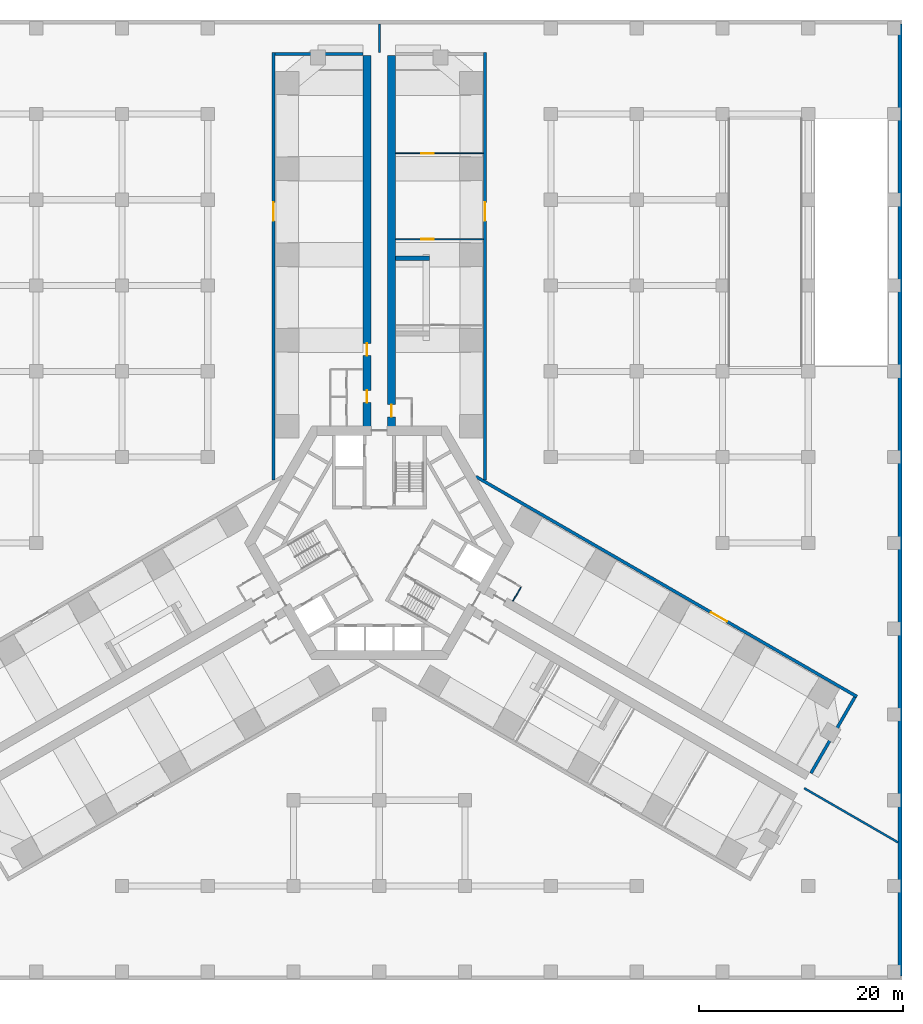
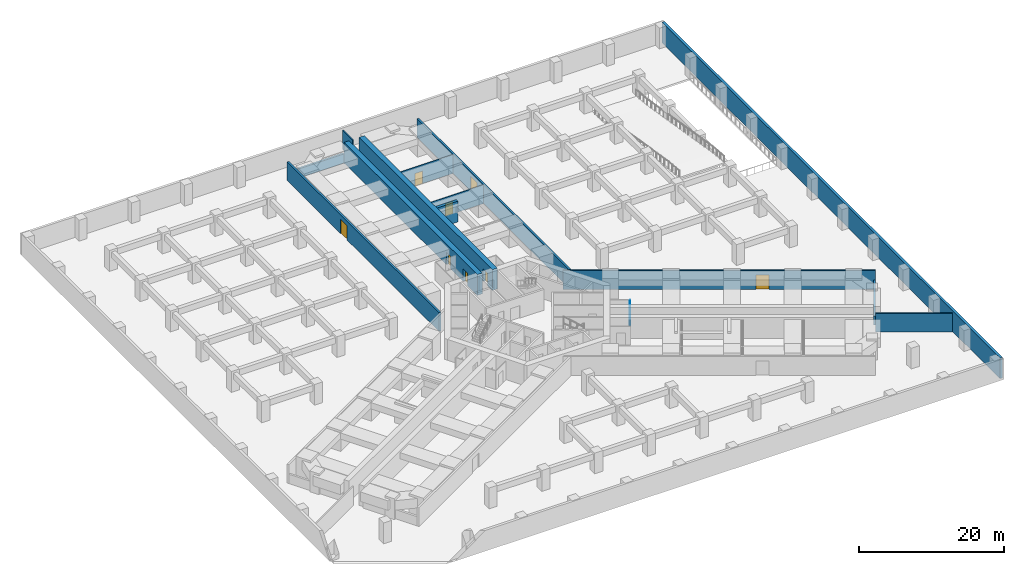
# One storey, part 8 of 10: 14 walls, 8 doors, 8 openings.
"""IFC4 building model written with IfcOpenShell, lengths in metres."""

from ifc_helpers import new_model, si_unit, direction, frame, frame_2d, origin, place, context, subcontext, project, spatial, rectangle, extrude, material, layer, layer_set, type_object, element, fill, save


model = new_model("IFC4")

# Units and contexts
model_context = context("Model", 3, precision=1e-05, world=origin(), true_north=direction((0.0, 1.0)))
body_context = subcontext(model_context, "Body", "Model", "MODEL_VIEW")
ifc_project = project(units=[si_unit("LENGTHUNIT", "METRE"), si_unit("AREAUNIT", "SQUARE_METRE"), si_unit("VOLUMEUNIT", "CUBIC_METRE"), si_unit("PLANEANGLEUNIT", "RADIAN"), si_unit("MASSUNIT", "GRAM", prefix="KILO")], contexts=[model_context])

# Site, building, storey
site_placement = place(None, origin())
site = spatial("IfcSite", under=ifc_project, at=site_placement, CompositionType="ELEMENT")
building_placement = place(site_placement, origin())
building = spatial("IfcBuilding", under=site, at=building_placement, Name="Impinga Residences", CompositionType="ELEMENT")
storey_placement = place(building_placement, frame((0.0, 0.0, -3.5)))
storey = spatial("IfcBuildingStorey", under=building, at=storey_placement, Name="B1", CompositionType="ELEMENT", Elevation=-3.5)

# Wall, openings, doors
ifc_material_1 = material(Name="Concrete C70/85", Category="concrete")
ifc_layer_1 = layer(ifc_material_1, 0.800048828125)
ifc_layer_set_1 = layer_set([ifc_layer_1], Name="Concrete C70/85")
wall_type_1 = type_object("IfcWallType", Name="BW0 corridor buttress wall, B3 to L04 800", PredefinedType="SHEAR", material=ifc_layer_set_1)
wall_1_placement = place(storey_placement, frame((-1.199951171875, 10.9814453125, 0.0), z_axis=(0.0, 0.0, 1.0), x_axis=(0.0, 1.0, 0.0)))
wall_1 = element("IfcWall", 1, at=wall_1_placement, inside=storey, type_object=wall_type_1, Name="Corridor wall BW0 NC B1", PredefinedType="SHEAR", context=body_context, shape_type="SweptSolid", body=[
    extrude(rectangle(XDim=36.75, YDim=0.800048828125, at=frame_2d((18.375, 0.0))), origin(), (0.0, 0.0, 1.0), 3.5),
])
opening_1_placement = place(wall_1_placement, frame((2.75, 0.0, 0.0)))
opening_1 = element("IfcOpeningElement", 2, at=opening_1_placement, cuts=wall_1, Name="Opening D3", PredefinedType="OPENING", context=body_context, shape_type="SweptSolid", body=[
    extrude(rectangle(XDim=1.199951171875, YDim=2.10009765625, at=frame_2d((0.60009765625, 1.050048828125))), frame((0.0, 0.409912109375, 0.0), z_axis=(0.0, -1.0, 0.0), x_axis=(1.0, 0.0, 0.0)), (0.0, 0.0, 1.0), 0.820068359375),
])
opening_2_placement = place(wall_1_placement, frame((7.35009765625, 0.0, 0.0)))
opening_2 = element("IfcOpeningElement", 3, at=opening_2_placement, cuts=wall_1, Name="Opening D3", PredefinedType="OPENING", context=body_context, shape_type="SweptSolid", body=[
    extrude(rectangle(XDim=1.199951171875, YDim=2.10009765625, at=frame_2d((0.60009765625, 1.050048828125))), frame((0.0, 0.409912109375, 0.0), z_axis=(0.0, -1.0, 0.0), x_axis=(1.0, 0.0, 0.0)), (0.0, 0.0, 1.0), 0.820068359375),
])
ifc_material_2 = material(Name="Timber door set", Category="wood")
door_type_1 = type_object("IfcDoorType", Name="D3 room door, leaf and a half 1200x2100", OperationType="DOUBLE_SWING_LEFT", PredefinedType="DOOR", material=ifc_material_2)
door_1_placement = place(opening_1_placement, origin())
door_1 = element("IfcDoor", 4, at=door_1_placement, inside=storey, type_object=door_type_1, Name="WC lobby door B1-NA1", OperationType="DOUBLE_SWING_LEFT", OverallHeight=2.10009765625, OverallWidth=1.199951171875, PredefinedType="DOOR", context=body_context, shape_type="SweptSolid", body=[
    extrude(rectangle(XDim=1.199951171875, YDim=2.10009765625, at=frame_2d((0.60009765625, 1.050048828125))), frame((0.0, 0.02490234375, 0.0), z_axis=(0.0, -1.0, 0.0), x_axis=(1.0, 0.0, 0.0)), (0.0, 0.0, 1.0), 0.050048828125),
])
fill(opening_1, door_1)
door_2_placement = place(opening_2_placement, origin())
door_2 = element("IfcDoor", 5, at=door_2_placement, inside=storey, type_object=door_type_1, Name="Refuse store door B1-NA1", OperationType="DOUBLE_SWING_LEFT", OverallHeight=2.10009765625, OverallWidth=1.199951171875, PredefinedType="DOOR", context=body_context, shape_type="SweptSolid", body=[
    extrude(rectangle(XDim=1.199951171875, YDim=2.10009765625, at=frame_2d((0.60009765625, 1.050048828125))), frame((0.0, 0.02490234375, 0.0), z_axis=(0.0, -1.0, 0.0), x_axis=(1.0, 0.0, 0.0)), (0.0, 0.0, 1.0), 0.050048828125),
])
fill(opening_2, door_2)

# Wall, opening, door
wall_2_placement = place(storey_placement, frame((1.199951171875, 10.9814453125, 0.0), z_axis=(0.0, 0.0, 1.0), x_axis=(0.0, 1.0, 0.0)))
wall_2 = element("IfcWall", 6, at=wall_2_placement, inside=storey, type_object=wall_type_1, Name="Corridor wall BW0 ND B1", PredefinedType="SHEAR", context=body_context, shape_type="SweptSolid", body=[
    extrude(rectangle(XDim=36.75, YDim=0.800048828125, at=frame_2d((18.375, 0.0))), origin(), (0.0, 0.0, 1.0), 3.5),
])
opening_3_placement = place(wall_2_placement, frame((1.35009765625, 0.0, 0.0)))
opening_3 = element("IfcOpeningElement", 7, at=opening_3_placement, cuts=wall_2, Name="Opening D3", PredefinedType="OPENING", context=body_context, shape_type="SweptSolid", body=[
    extrude(rectangle(XDim=1.199951171875, YDim=2.10009765625, at=frame_2d((0.60009765625, 1.050048828125))), frame((0.0, 0.409912109375, 0.0), z_axis=(0.0, -1.0, 0.0), x_axis=(1.0, 0.0, 0.0)), (0.0, 0.0, 1.0), 0.820068359375),
])
door_3_placement = place(opening_3_placement, origin())
door_3 = element("IfcDoor", 8, at=door_3_placement, inside=storey, type_object=door_type_1, Name="Plant room lobby door B1-NF1", OperationType="DOUBLE_SWING_LEFT", OverallHeight=2.10009765625, OverallWidth=1.199951171875, PredefinedType="DOOR", context=body_context, shape_type="SweptSolid", body=[
    extrude(rectangle(XDim=1.199951171875, YDim=2.10009765625, at=frame_2d((0.60009765625, 1.050048828125))), frame((0.0, 0.02490234375, 0.0), z_axis=(0.0, -1.0, 0.0), x_axis=(1.0, 0.0, 0.0)), (0.0, 0.0, 1.0), 0.050048828125),
])
fill(opening_3, door_3)

ifc_material_3 = material(Name="Concrete blockwork", Category="masonry")
ifc_layer_2 = layer(ifc_material_3, 0.10009765625)
ifc_layer_set_2 = layer_set([ifc_layer_2], Name="CP1 core room partition, blockwork 100")
wall_type_2 = type_object("IfcWallType", Name="CP1 core room partition, blockwork 100", PredefinedType="PARTITIONING", material=ifc_layer_set_2)
wall_3_placement = place(storey_placement, frame((1.60009765625, 29.7314453125, 0.0), z_axis=(0.0, 0.0, 1.0), x_axis=(1.0, 0.0, 0.0)))
wall_3 = element("IfcWall", 9, at=wall_3_placement, inside=storey, type_object=wall_type_2, Name="Core room partition, blockwork B1-NF1:PS2", PredefinedType="PARTITIONING", context=body_context, shape_type="SweptSolid", body=[
    extrude(rectangle(XDim=8.599853515625, YDim=0.10009765625, at=frame_2d((4.2998046875, 0.0))), origin(), (0.0, 0.0, 1.0), 3.14990234375),
])
opening_4_placement = place(wall_3_placement, frame((2.52490234375, 0.0, 0.0)))
opening_4 = element("IfcOpeningElement", 10, at=opening_4_placement, cuts=wall_3, Name="Opening D3", PredefinedType="OPENING", context=body_context, shape_type="SweptSolid", body=[
    extrude(rectangle(XDim=1.199951171875, YDim=2.10009765625, at=frame_2d((0.60009765625, 1.050048828125))), frame((0.0, 0.06005859375, 0.0), z_axis=(0.0, -1.0, 0.0), x_axis=(1.0, 0.0, 0.0)), (0.0, 0.0, 1.0), 0.1201171875),
])
door_4_placement = place(opening_4_placement, origin())
door_4 = element("IfcDoor", 11, at=door_4_placement, inside=storey, type_object=door_type_1, Name="Plant room door B1-NF1", OperationType="DOUBLE_SWING_LEFT", OverallHeight=2.10009765625, OverallWidth=1.199951171875, PredefinedType="DOOR", context=body_context, shape_type="SweptSolid", body=[
    extrude(rectangle(XDim=1.199951171875, YDim=2.10009765625, at=frame_2d((0.60009765625, 1.050048828125))), frame((0.0, 0.02490234375, 0.0), z_axis=(0.0, -1.0, 0.0), x_axis=(1.0, 0.0, 0.0)), (0.0, 0.0, 1.0), 0.050048828125),
])
fill(opening_4, door_4)

wall_4_placement = place(storey_placement, frame((1.60009765625, 38.131591796875, 0.0), z_axis=(0.0, 0.0, 1.0), x_axis=(1.0, 0.0, 0.0)))
wall_4 = element("IfcWall", 12, at=wall_4_placement, inside=storey, type_object=wall_type_2, Name="Core room partition, blockwork B1-NF1:PS3", PredefinedType="PARTITIONING", context=body_context, shape_type="SweptSolid", body=[
    extrude(rectangle(XDim=8.599853515625, YDim=0.10009765625, at=frame_2d((4.2998046875, 0.0))), origin(), (0.0, 0.0, 1.0), 3.14990234375),
])
opening_5_placement = place(wall_4_placement, frame((2.52490234375, 0.0, 0.0)))
opening_5 = element("IfcOpeningElement", 13, at=opening_5_placement, cuts=wall_4, Name="Opening D3", PredefinedType="OPENING", context=body_context, shape_type="SweptSolid", body=[
    extrude(rectangle(XDim=1.199951171875, YDim=2.10009765625, at=frame_2d((0.60009765625, 1.050048828125))), frame((0.0, 0.06005859375, 0.0), z_axis=(0.0, -1.0, 0.0), x_axis=(1.0, 0.0, 0.0)), (0.0, 0.0, 1.0), 0.1201171875),
])
door_5_placement = place(opening_5_placement, origin())
door_5 = element("IfcDoor", 14, at=door_5_placement, inside=storey, type_object=door_type_1, Name="Comms equipment room door B1-NF1", OperationType="DOUBLE_SWING_LEFT", OverallHeight=2.10009765625, OverallWidth=1.199951171875, PredefinedType="DOOR", context=body_context, shape_type="SweptSolid", body=[
    extrude(rectangle(XDim=1.199951171875, YDim=2.10009765625, at=frame_2d((0.60009765625, 1.050048828125))), frame((0.0, 0.02490234375, 0.0), z_axis=(0.0, -1.0, 0.0), x_axis=(1.0, 0.0, 0.0)), (0.0, 0.0, 1.0), 0.050048828125),
])
fill(opening_5, door_5)

# Walls
wall_5_placement = place(storey_placement, frame((13.08154296875, -5.705078125, 0.0), z_axis=(0.0, 0.0, 1.0), x_axis=(0.500086022567, 0.865975732936, 0.0)))
element("IfcWall", 15, at=wall_5_placement, inside=storey, type_object=wall_type_2, Name="Core room partition, blockwork B1-EA1:L2", PredefinedType="PARTITIONING", context=body_context, shape_type="SweptSolid", body=[
    extrude(rectangle(XDim=1.550048828125, YDim=0.10009765625, at=frame_2d((0.77490234375, 0.0))), origin(), (0.0, 0.0, 1.0), 3.14990234375),
])
ifc_layer_3 = layer(ifc_material_3, 0.199951171875)
ifc_layer_set_3 = layer_set([ifc_layer_3], Name="PW2 podium compartment wall 200")
wall_type_3 = type_object("IfcWallType", Name="PW2 podium compartment wall 200", PredefinedType="SOLIDWALL", material=ifc_layer_set_3)
wall_6_placement = place(storey_placement, frame((0.0, 48.031494140625, 0.0), z_axis=(0.0, 0.0, 1.0), x_axis=(0.0, 1.0, 0.0)))
element("IfcWall", 16, at=wall_6_placement, inside=storey, type_object=wall_type_3, Name="Podium compartment wall B1:REG:N", PredefinedType="SOLIDWALL", context=body_context, shape_type="SweptSolid", body=[
    extrude(rectangle(XDim=2.7685546875, YDim=0.199951171875, at=frame_2d((1.38427734375, 0.0))), origin(), (0.0, 0.0, 1.0), 3.14990234375),
])
wall_7_placement = place(storey_placement, frame((41.596435546875, -24.015869140625, 0.0), z_axis=(0.0, 0.0, 1.0), x_axis=(0.866034858292, -0.499983623955, 0.0)))
element("IfcWall", 17, at=wall_7_placement, inside=storey, type_object=wall_type_3, Name="Podium compartment wall B1:REG:E", PredefinedType="SOLIDWALL", context=body_context, shape_type="SweptSolid", body=[
    extrude(rectangle(XDim=10.627197265625, YDim=0.199951171875, at=frame_2d((5.3134765625, 0.0))), origin(), (0.0, 0.0, 1.0), 3.14990234375),
])
ifc_layer_4 = layer(ifc_material_3, 0.300048828125)
ifc_layer_set_4 = layer_set([ifc_layer_4], Name="PW3 podium wall on the wing face 300")
wall_type_4 = type_object("IfcWallType", Name="PW3 podium wall on the wing face 300", PredefinedType="SOLIDWALL", material=ifc_layer_set_4)
for number, where, z_axis, x_axis, name in (
    (18, (-1.60009765625, 47.881591796875, 0.0), (0.0, 0.0, 1.0), (-1.0, 0.0, 0.0), "Podium wall on the wing face B1:END:NA"),
    (19, (42.2666015625, -22.55517578125, 0.0), (0.0, 0.0, 1.0), (0.500007509209, 0.866021068297, 0.0), "Podium wall on the wing face B1:END:EA"),
):
    element("IfcWall", number, at=place(storey_placement, frame(where, z_axis=z_axis, x_axis=x_axis)), inside=storey, type_object=wall_type_4, Name=name, PredefinedType="SOLIDWALL", context=body_context, shape_type="SweptSolid", body=[
        extrude(rectangle(XDim=8.599853515625, YDim=0.300048828125, at=frame_2d((4.2998046875, 0.0))), origin(), (0.0, 0.0, 1.0), 1.550048828125),
    ])

# Wall, opening, door
wall_8_placement = place(storey_placement, frame((-10.35009765625, 6.148681640625, 0.0), z_axis=(0.0, 0.0, 1.0), x_axis=(0.0, 1.0, 0.0)))
wall_8 = element("IfcWall", 20, at=wall_8_placement, inside=storey, type_object=wall_type_4, Name="Podium wall on the wing face B1:SIDE:NA0", PredefinedType="SOLIDWALL", context=body_context, shape_type="SweptSolid", body=[
    extrude(rectangle(XDim=41.8828125, YDim=0.300048828125, at=frame_2d((20.94140625, 0.0))), origin(), (0.0, 0.0, 1.0), 3.14990234375),
])
opening_6_placement = place(wall_8_placement, frame((25.3828125, 0.0, 0.0)))
opening_6 = element("IfcOpeningElement", 21, at=opening_6_placement, cuts=wall_8, Name="Opening D7", PredefinedType="OPENING", context=body_context, shape_type="SweptSolid", body=[
    extrude(rectangle(XDim=1.800048828125, YDim=2.39990234375, at=frame_2d((0.89990234375, 1.199951171875))), frame((0.0, 0.159912109375, 0.0), z_axis=(0.0, -1.0, 0.0), x_axis=(1.0, 0.0, 0.0)), (0.0, 0.0, 1.0), 0.320068359375),
])
door_type_2 = type_object("IfcDoorType", Name="D7 podium door pair 1800x2400", OperationType="DOUBLE_DOOR_DOUBLE_SWING", PredefinedType="DOOR", material=ifc_material_2)
door_6_placement = place(opening_6_placement, origin())
door_6 = element("IfcDoor", 22, at=door_6_placement, inside=storey, type_object=door_type_2, Name="Double door NA", OperationType="DOUBLE_DOOR_DOUBLE_SWING", OverallHeight=2.39990234375, OverallWidth=1.800048828125, PredefinedType="DOOR", context=body_context, shape_type="SweptSolid", body=[
    extrude(rectangle(XDim=1.800048828125, YDim=2.39990234375, at=frame_2d((0.89990234375, 1.199951171875))), frame((0.0, 0.02490234375, 0.0), z_axis=(0.0, -1.0, 0.0), x_axis=(1.0, 0.0, 0.0)), (0.0, 0.0, 1.0), 0.050048828125),
])
fill(opening_6, door_6)

wall_9_placement = place(storey_placement, frame((10.35009765625, 6.148681640625, 0.0), z_axis=(0.0, 0.0, 1.0), x_axis=(0.0, 1.0, 0.0)))
wall_9 = element("IfcWall", 23, at=wall_9_placement, inside=storey, type_object=wall_type_4, Name="Podium wall on the wing face B1:SIDE:NF0", PredefinedType="SOLIDWALL", context=body_context, shape_type="SweptSolid", body=[
    extrude(rectangle(XDim=41.8828125, YDim=0.300048828125, at=frame_2d((20.94140625, 0.0))), origin(), (0.0, 0.0, 1.0), 3.14990234375),
])
opening_7_placement = place(wall_9_placement, frame((25.3828125, 0.0, 0.0)))
opening_7 = element("IfcOpeningElement", 24, at=opening_7_placement, cuts=wall_9, Name="Opening D7", PredefinedType="OPENING", context=body_context, shape_type="SweptSolid", body=[
    extrude(rectangle(XDim=1.800048828125, YDim=2.39990234375, at=frame_2d((0.89990234375, 1.199951171875))), frame((0.0, 0.159912109375, 0.0), z_axis=(0.0, -1.0, 0.0), x_axis=(1.0, 0.0, 0.0)), (0.0, 0.0, 1.0), 0.320068359375),
])
door_7_placement = place(opening_7_placement, origin())
door_7 = element("IfcDoor", 25, at=door_7_placement, inside=storey, type_object=door_type_2, Name="Double door NF", OperationType="DOUBLE_DOOR_DOUBLE_SWING", OverallHeight=2.39990234375, OverallWidth=1.800048828125, PredefinedType="DOOR", context=body_context, shape_type="SweptSolid", body=[
    extrude(rectangle(XDim=1.800048828125, YDim=2.39990234375, at=frame_2d((0.89990234375, 1.199951171875))), frame((0.0, 0.02490234375, 0.0), z_axis=(0.0, -1.0, 0.0), x_axis=(1.0, 0.0, 0.0)), (0.0, 0.0, 1.0), 0.050048828125),
])
fill(opening_7, door_7)

wall_10_placement = place(storey_placement, frame((9.449951171875, 6.4951171875, 0.0), z_axis=(0.0, 0.0, 1.0), x_axis=(0.866025301493, -0.500000177174, 0.0)))
wall_10 = element("IfcWall", 26, at=wall_10_placement, inside=storey, type_object=wall_type_4, Name="Podium wall on the wing face B1:SIDE:EA0", PredefinedType="SOLIDWALL", context=body_context, shape_type="SweptSolid", body=[
    extrude(rectangle(XDim=43.09521484375, YDim=0.300048828125, at=frame_2d((21.547607421875, 0.0))), origin(), (0.0, 0.0, 1.0), 3.14990234375),
])
opening_8_placement = place(wall_10_placement, frame((26.59521484375, 0.0, 0.0)))
opening_8 = element("IfcOpeningElement", 27, at=opening_8_placement, cuts=wall_10, Name="Opening D7", PredefinedType="OPENING", context=body_context, shape_type="SweptSolid", body=[
    extrude(rectangle(XDim=1.800048828125, YDim=2.39990234375, at=frame_2d((0.89990234375, 1.199951171875))), frame((0.0, 0.159912109375, 0.0), z_axis=(0.0, -1.0, 0.0), x_axis=(1.0, 0.0, 0.0)), (0.0, 0.0, 1.0), 0.320068359375),
])
door_8_placement = place(opening_8_placement, origin())
door_8 = element("IfcDoor", 28, at=door_8_placement, inside=storey, type_object=door_type_2, Name="Double door EA", OperationType="DOUBLE_DOOR_DOUBLE_SWING", OverallHeight=2.39990234375, OverallWidth=1.800048828125, PredefinedType="DOOR", context=body_context, shape_type="SweptSolid", body=[
    extrude(rectangle(XDim=1.800048828125, YDim=2.39990234375, at=frame_2d((0.89990234375, 1.199951171875))), frame((0.0, 0.02490234375, 0.0), z_axis=(0.0, -1.0, 0.0), x_axis=(1.0, 0.0, 0.0)), (0.0, 0.0, 1.0), 0.050048828125),
])
fill(opening_8, door_8)

# Walls
ifc_material_4 = material(Name="Concrete C60/75", Category="concrete")
ifc_layer_5 = layer(ifc_material_4, 0.39990234375)
ifc_layer_set_5 = layer_set([ifc_layer_5], Name="Concrete C60/75")
wall_type_5 = type_object("IfcWallType", Name="RW1 basement retaining wall 400", PredefinedType="USERDEFINED", material=ifc_layer_set_5)
wall_11_placement = place(storey_placement, frame((51.0, -42.39990234375, 0.0), z_axis=(0.0, 0.0, 1.0), x_axis=(0.0, 1.0, 0.0)))
element("IfcWall", 29, at=wall_11_placement, inside=storey, type_object=wall_type_5, Name="Retaining wall RW1 E B1", ObjectType="RETAINING WALL", PredefinedType="USERDEFINED", context=body_context, shape_type="SweptSolid", body=[
    extrude(rectangle(XDim=93.199951171875, YDim=0.39990234375, at=frame_2d((46.60009765625, 0.0))), origin(), (0.0, 0.0, 1.0), 3.5),
])
ifc_layer_6 = layer(ifc_material_4, 0.449951171875)
ifc_layer_set_6 = layer_set([ifc_layer_6], Name="Concrete C60/75")
wall_type_6 = type_object("IfcWallType", Name="SE3 wing stair end wall carried down to the raft, basements 450", PredefinedType="SOLIDWALL", material=ifc_layer_set_6)
wall_12_placement = place(storey_placement, frame((1.60009765625, 27.8564453125, 0.0), z_axis=(0.0, 0.0, 1.0), x_axis=(1.0, 0.0, 0.0)))
element("IfcWall", 30, at=wall_12_placement, inside=storey, type_object=wall_type_6, Name="Stair enclosure wall SE3 N END1 B1", PredefinedType="SOLIDWALL", context=body_context, shape_type="SweptSolid", body=[
    extrude(rectangle(XDim=3.2998046875, YDim=0.449951171875, at=frame_2d((1.64990234375, 0.0))), origin(), (0.0, 0.0, 1.0), 3.5),
])

save(model, "model.ifc")
